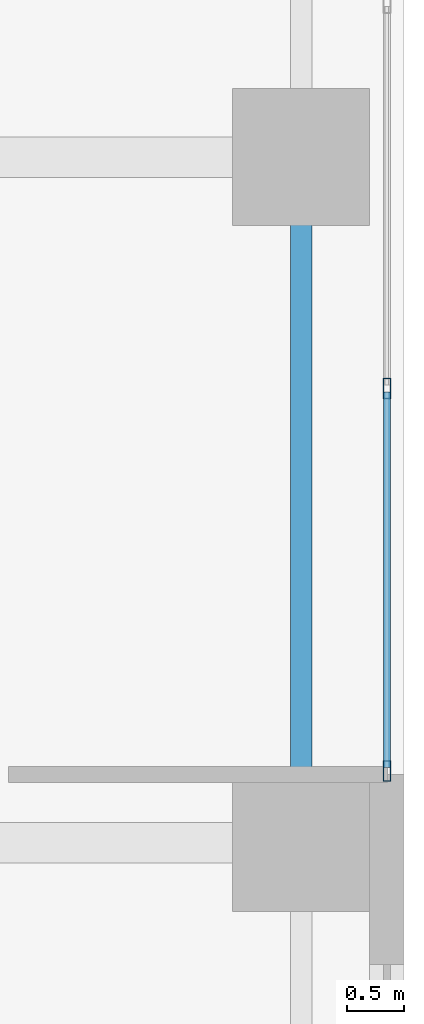
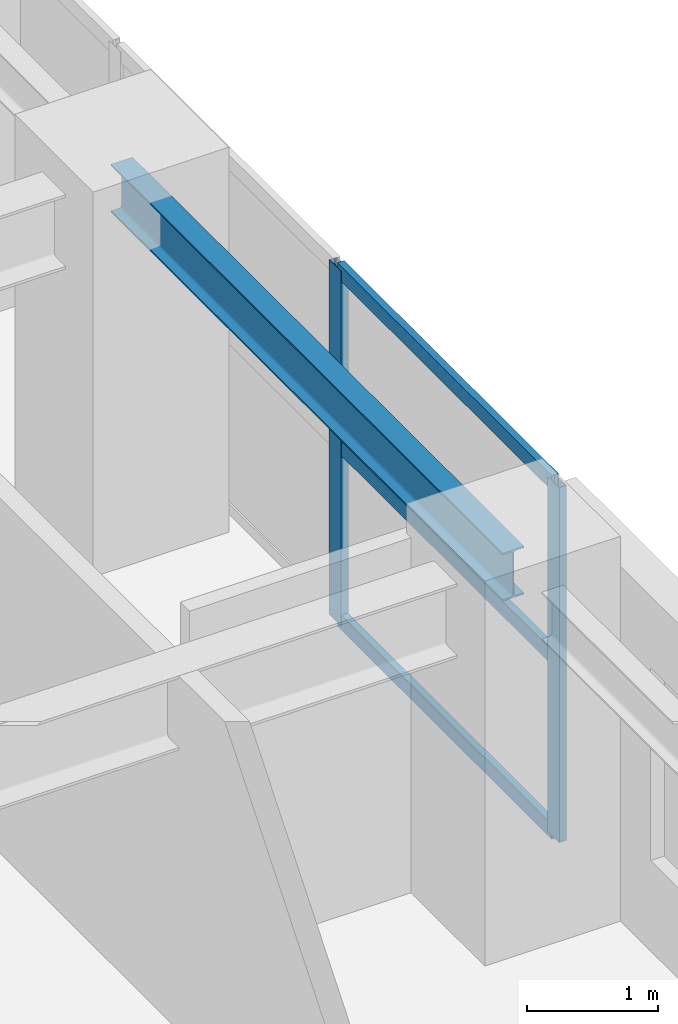
# One storey, part 9 of 24: 5 members, 1 beam, 1 element without a shape of its own.
"""IFC4 building model written with IfcOpenShell, lengths in metres."""

from ifc_helpers import new_model, si_unit, direction, frame, origin, origin_2d, place, context, subcontext, project, spatial, hollow_rectangle, i_section, extrude, source, transform, mapped, material, layer, layer_set, material_profile, profile_set, type_object, element, aggregate, save


model = new_model("IFC4")

# Units and contexts
model_context = context("Model", 3, precision=1e-05, world=origin(), true_north=direction((0.0, 1.0)))
body_context = subcontext(model_context, "Body", "Model", "MODEL_VIEW")
ifc_project = project(units=[si_unit("LENGTHUNIT", "METRE"), si_unit("AREAUNIT", "SQUARE_METRE"), si_unit("VOLUMEUNIT", "CUBIC_METRE"), si_unit("PLANEANGLEUNIT", "RADIAN"), si_unit("MASSUNIT", "GRAM", prefix="KILO")], contexts=[model_context])

# Site, building, storey
site_placement = place(None, origin())
site = spatial("IfcSite", under=ifc_project, at=site_placement, CompositionType="ELEMENT")
building_placement = place(site_placement, origin())
building = spatial("IfcBuilding", under=site, at=building_placement, Name="Khoralis Quay Care Tower", CompositionType="ELEMENT")
storey_placement = place(building_placement, frame((0.0, 0.0, 54.89990234375)))
storey = spatial("IfcBuildingStorey", under=building, at=storey_placement, Name="L14", CompositionType="ELEMENT", Elevation=54.89990234375)

# Beam
ifc_material_1 = material(Name="Steel S355", Category="steel")
ifc_material_profile_1 = material_profile(ifc_material_1, i_section(OverallWidth=0.18994140625, OverallDepth=0.449951171875, WebThickness=0.009521484375, FlangeThickness=0.0146484375, FilletRadius=0.02099609375, at=origin_2d()), Name="Steel S355")
ifc_profile_set_1 = profile_set([ifc_material_profile_1], Name="Steel S355")
beam_type = type_object("IfcBeamType", Name="BM-IPE450", PredefinedType="SPANDREL", material=ifc_profile_set_1)
shared_shape_1 = source(origin(), body_context, "Body", "SweptSolid", [
    extrude(i_section(OverallWidth=0.18994140625, OverallDepth=0.449951171875, WebThickness=0.009521484375, FlangeThickness=0.0146484375, FilletRadius=0.02099609375, at=origin_2d()), origin(), (0.0, 0.0, 1.0), 6.0),
])
beam_placement = place(storey_placement, frame((47.10009765625, 18.0, 3.09521484375), z_axis=(0.0, 1.0, 0.0), x_axis=(-1.0, 0.0, 0.0)))
element("IfcBeam", 1, at=beam_placement, inside=storey, type_object=beam_type, Name="BM-TSP-L14-21", PredefinedType="SPANDREL", context=body_context, shape_type="MappedRepresentation", body=[
    mapped(shared_shape_1, transform((0.0, 0.0, 0.0), scale=1.0)),
])

# Curtain wall, members
ifc_material_2 = material(Name="Pale anodised aluminium", Category="aluminium")
ifc_layer = layer(ifc_material_2, 0.179931640625)
ifc_layer_set = layer_set([ifc_layer], Name="Pale anodised aluminium")
curtain_wall_type = type_object("IfcCurtainWallType", Name="CW-SYS-Z1", PredefinedType="NOTDEFINED", material=ifc_layer_set)
curtain_wall_placement = place(storey_placement, origin())
curtain_wall = element("IfcCurtainWall", 2, at=curtain_wall_placement, inside=storey, type_object=curtain_wall_type, Name="L14 Unitised Curtain Wall CW-L14-P1-E5", PredefinedType="NOTDEFINED")
ifc_material_profile_2 = material_profile(ifc_material_2, hollow_rectangle(XDim=0.06494140625, YDim=0.179931640625, WallThickness=0.00390625, at=origin_2d()), Name="Pale anodised aluminium")
ifc_profile_set_2 = profile_set([ifc_material_profile_2], Name="Pale anodised aluminium")
member_type_1 = type_object("IfcMemberType", Name="CW-MUL-180", PredefinedType="MULLION", material=ifc_profile_set_2)
shared_shape_2 = source(origin(), body_context, "Body", "SweptSolid", [
    extrude(hollow_rectangle(XDim=0.06494140625, YDim=0.179931640625, WallThickness=0.00390625, at=origin_2d()), origin(), (0.0, 0.0, 1.0), 3.320068359375),
])
member_1_placement = place(storey_placement, frame((47.85009765625, 18.6298828125, 0.0), z_axis=(0.0, 0.0, 1.0), x_axis=(-1.0, 0.0, 0.0)))
member_1 = element("IfcMember", 3, at=member_1_placement, type_object=member_type_1, Name="CW1 mullion 1", PredefinedType="MULLION", context=body_context, shape_type="MappedRepresentation", body=[
    mapped(shared_shape_2, transform((0.0, 0.0, 0.0), scale=1.0)),
])
member_2_placement = place(storey_placement, frame((47.85009765625, 21.97509765625, 0.0), z_axis=(0.0, 0.0, 1.0), x_axis=(-1.0, 0.0, 0.0)))
member_2 = element("IfcMember", 4, at=member_2_placement, type_object=member_type_1, Name="CW1 mullion 2", PredefinedType="MULLION", context=body_context, shape_type="MappedRepresentation", body=[
    mapped(shared_shape_2, transform((0.0, 0.0, 0.0), scale=1.0)),
])
ifc_material_profile_3 = material_profile(ifc_material_2, hollow_rectangle(XDim=0.06005859375, YDim=0.139892578125, WallThickness=0.00390625, at=origin_2d()), Name="Pale anodised aluminium")
ifc_profile_set_3 = profile_set([ifc_material_profile_3], Name="Pale anodised aluminium")
member_type_2 = type_object("IfcMemberType", Name="CW-TRN-140", PredefinedType="USERDEFINED", material=ifc_profile_set_3)
shared_shape_3 = source(origin(), body_context, "Body", "SweptSolid", [
    extrude(hollow_rectangle(XDim=0.06005859375, YDim=0.139892578125, WallThickness=0.00390625, at=origin_2d()), origin(), (0.0, 0.0, 1.0), 3.28515625),
])
member_3_placement = place(storey_placement, frame((47.85009765625, 18.659912109375, 0.030029296875), z_axis=(0.0, 1.0, 0.0), x_axis=(-1.0, 0.0, 0.0)))
member_3 = element("IfcMember", 5, at=member_3_placement, type_object=member_type_2, Name="CW1 transom 1.1", ObjectType="TRANSOM", PredefinedType="USERDEFINED", context=body_context, shape_type="MappedRepresentation", body=[
    mapped(shared_shape_3, transform((0.0, 0.0, 0.0), scale=1.0)),
])
member_4_placement = place(storey_placement, frame((47.85009765625, 18.659912109375, 1.66015625), z_axis=(0.0, 1.0, 0.0), x_axis=(-1.0, 0.0, 0.0)))
member_4 = element("IfcMember", 6, at=member_4_placement, type_object=member_type_2, Name="CW1 transom 1.2", ObjectType="TRANSOM", PredefinedType="USERDEFINED", context=body_context, shape_type="MappedRepresentation", body=[
    mapped(shared_shape_3, transform((0.0, 0.0, 0.0), scale=1.0)),
])
member_5_placement = place(storey_placement, frame((47.85009765625, 18.659912109375, 3.2900390625), z_axis=(0.0, 1.0, 0.0), x_axis=(-1.0, 0.0, 0.0)))
member_5 = element("IfcMember", 7, at=member_5_placement, type_object=member_type_2, Name="CW1 transom 1.3", ObjectType="TRANSOM", PredefinedType="USERDEFINED", context=body_context, shape_type="MappedRepresentation", body=[
    mapped(shared_shape_3, transform((0.0, 0.0, 0.0), scale=1.0)),
])
aggregate(curtain_wall, [member_1, member_2, member_3, member_4, member_5])

save(model, "model.ifc")
